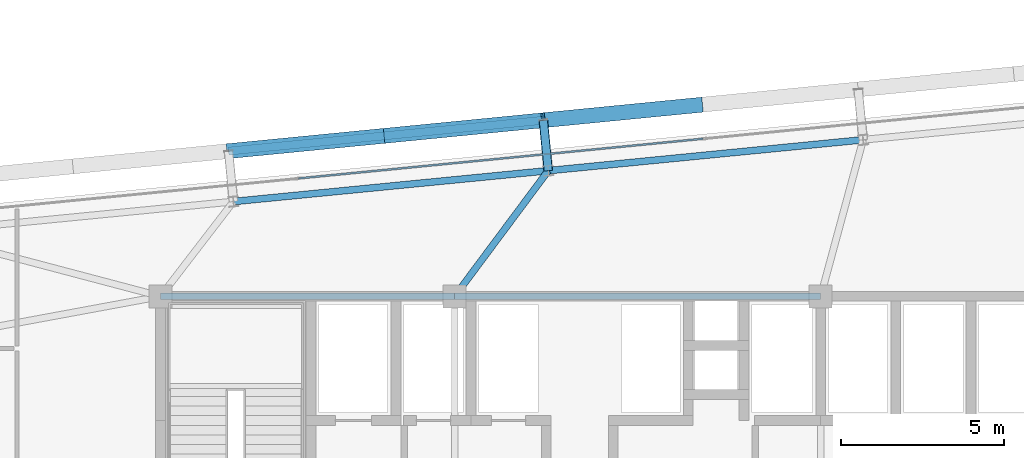
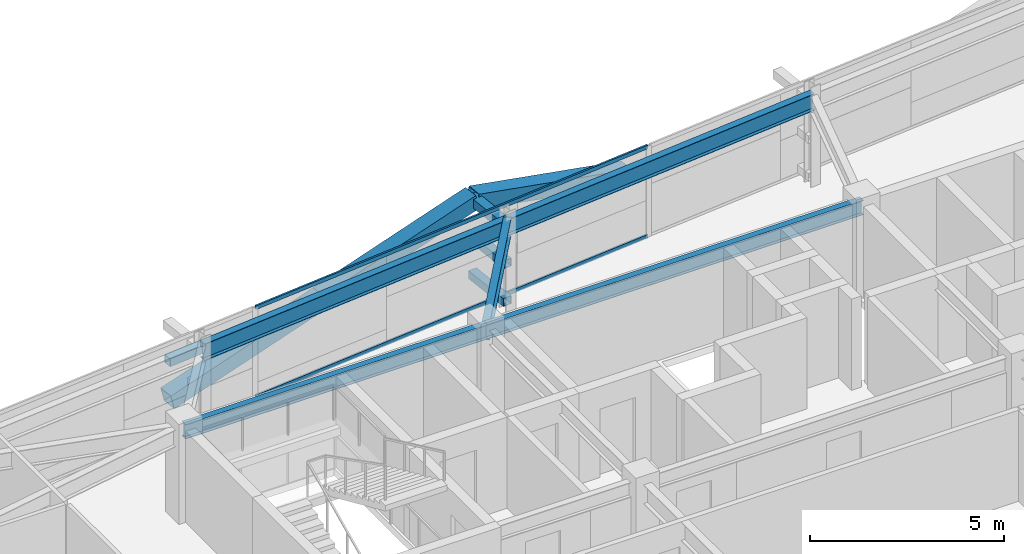
# One storey, part 26 of 47: 9 members, 5 beams, 1 element without a shape of its own.
"""IFC4 building model written with IfcOpenShell, lengths in metres."""

from ifc_helpers import new_model, si_unit, direction, frame, origin, origin_2d, place, context, subcontext, project, spatial, hollow_rectangle, i_section, extrude, source, transform, mapped, material, layer, layer_set, material_profile, profile_set, type_object, element, aggregate, save


model = new_model("IFC4")

# Units and contexts
model_context = context("Model", 3, precision=1e-05, world=origin(), true_north=direction((0.0, 1.0)))
body_context = subcontext(model_context, "Body", "Model", "MODEL_VIEW")
ifc_project = project(units=[si_unit("LENGTHUNIT", "METRE"), si_unit("AREAUNIT", "SQUARE_METRE"), si_unit("VOLUMEUNIT", "CUBIC_METRE"), si_unit("PLANEANGLEUNIT", "RADIAN"), si_unit("MASSUNIT", "GRAM", prefix="KILO")], contexts=[model_context])

# Site, building, storey
site_placement = place(None, origin())
site = spatial("IfcSite", under=ifc_project, at=site_placement, CompositionType="ELEMENT")
building_placement = place(site_placement, origin())
building = spatial("IfcBuilding", under=site, at=building_placement, Name="Taldren Reach Tower", CompositionType="ELEMENT")
storey_placement = place(building_placement, frame((0.0, 0.0, 109.199951171875)))
storey = spatial("IfcBuildingStorey", under=building, at=storey_placement, Name="L33", CompositionType="ELEMENT", Elevation=109.199951171875)

# Beams
ifc_material_1 = material(Name="Steel Gr 350 (350PLUS)", Category="steel")
ifc_material_profile_1 = material_profile(ifc_material_1, i_section(OverallWidth=0.19091796875, OverallDepth=0.4599609375, WebThickness=0.010009765625, FlangeThickness=0.01611328125, at=origin_2d()), Name="460UB82.1")
ifc_profile_set_1 = profile_set([ifc_material_profile_1], Name="Steel Gr 350 (350PLUS)")
beam_type_1 = type_object("IfcBeamType", Name="BM-UB460A", PredefinedType="BEAM", material=ifc_profile_set_1)
shared_shape_1 = source(origin(), body_context, "Body", "SweptSolid", [
    extrude(i_section(OverallWidth=0.19091796875, OverallDepth=0.4599609375, WebThickness=0.010009765625, FlangeThickness=0.01611328125, at=origin_2d()), origin(), (0.0, 0.0, 1.0), 9.0),
])
beam_1_placement = place(storey_placement, frame((19.0, 32.0, 2.64013671875), z_axis=(1.0, 0.0, 0.0), x_axis=(0.0, 1.0, 0.0)))
element("IfcBeam", 1, at=beam_1_placement, inside=storey, type_object=beam_type_1, Name="Core-spine girder L33-SP04", PredefinedType="BEAM", context=body_context, shape_type="MappedRepresentation", body=[
    mapped(shared_shape_1, transform((0.0, 0.0, 0.0), scale=1.0)),
])
shared_shape_2 = source(origin(), body_context, "Body", "SweptSolid", [
    extrude(i_section(OverallWidth=0.19091796875, OverallDepth=0.4599609375, WebThickness=0.010009765625, FlangeThickness=0.01611328125, at=origin_2d()), origin(), (0.0, 0.0, 1.0), 11.199951171875),
])
beam_2_placement = place(storey_placement, frame((28.0, 32.0, 2.64013671875), z_axis=(1.0, 0.0, 0.0), x_axis=(0.0, 1.0, 0.0)))
element("IfcBeam", 2, at=beam_2_placement, inside=storey, type_object=beam_type_1, Name="Core-spine girder L33-SP05", PredefinedType="BEAM", context=body_context, shape_type="MappedRepresentation", body=[
    mapped(shared_shape_2, transform((0.0, 0.0, 0.0), scale=1.0)),
])

# Members
ifc_material_2 = material(Name="Steel Gr 450 (C450L0)", Category="steel")
ifc_material_profile_2 = material_profile(ifc_material_2, hollow_rectangle(XDim=0.27490234375, YDim=0.27490234375, WallThickness=0.00927734375, at=origin_2d()), Name="275x275x9.3SHS")
ifc_profile_set_2 = profile_set([ifc_material_profile_2], Name="Steel Gr 450 (C450L0)")
member_type_1 = type_object("IfcMemberType", Name="MB-TIE273", PredefinedType="STRUT", material=ifc_profile_set_2)
shared_shape_3 = source(origin(), body_context, "Body", "SweptSolid", [
    extrude(hollow_rectangle(XDim=0.27490234375, YDim=0.27490234375, WallThickness=0.00927734375, at=origin_2d()), origin(), (0.0, 0.0, 1.0), 1.5498046875),
])
member_1_placement = place(storey_placement, frame((30.864501953125, 35.84619140625, 2.590087890625), z_axis=(-0.097663201064, 0.995219523099, 0.0), x_axis=(-0.995219523099, -0.097663201064, 0.0)))
element("IfcMember", 3, at=member_1_placement, inside=storey, type_object=member_type_1, Name="Exoskeleton diaphragm tie strut B2-N3 L33", PredefinedType="STRUT", context=body_context, shape_type="MappedRepresentation", body=[
    mapped(shared_shape_3, transform((0.0, 0.0, 0.0), scale=1.0)),
])
ifc_material_3 = material(Name="Steel Gr 350 (C350L0)", Category="steel")
ifc_material_profile_3 = material_profile(ifc_material_3, hollow_rectangle(XDim=0.25, YDim=0.25, WallThickness=0.010009765625, at=origin_2d()), Name="250x250x10.0SHS")
ifc_profile_set_3 = profile_set([ifc_material_profile_3], Name="Steel Gr 350 (C350L0)")
member_type_2 = type_object("IfcMemberType", Name="MB-POST250", PredefinedType="POST", material=ifc_profile_set_3)
shared_shape_4 = source(origin(), body_context, "Body", "SweptSolid", [
    extrude(hollow_rectangle(XDim=0.25, YDim=0.25, WallThickness=0.010009765625, at=origin_2d()), origin(), (0.0, 0.0, 1.0), 1.5498046875),
])
for number, where, z_axis, x_axis, name in (
    (4, (30.864501953125, 35.84619140625, 0.219970703125), (-0.097663201064, 0.995219523099, 0.0), (-0.995219523099, -0.097663201064, 0.0), "Exoskeleton base diaphragm tie strut B2-N3 L33"),
    (5, (30.864501953125, 35.84619140625, 1.405029296875), (-0.097663201064, 0.995219523099, 0.0), (-0.995219523099, -0.097663201064, 0.0), "Exoskeleton mid-tier diaphragm tie B2-N3 L33"),
):
    element("IfcMember", number, at=place(storey_placement, frame(where, z_axis=z_axis, x_axis=x_axis)), inside=storey, type_object=member_type_2, Name=name, PredefinedType="POST", context=body_context, shape_type="MappedRepresentation", body=[
        mapped(shared_shape_4, transform((0.0, 0.0, 0.0), scale=1.0)),
    ])

# Beams
ifc_material_profile_4 = material_profile(ifc_material_1, i_section(OverallWidth=0.208984375, OverallDepth=0.528076171875, WebThickness=0.009521484375, FlangeThickness=0.01318359375, at=origin_2d()), Name="530UB82.0")
ifc_profile_set_4 = profile_set([ifc_material_profile_4], Name="Steel Gr 350 (350PLUS)")
beam_type_2 = type_object("IfcBeamType", Name="SP-UB530B", PredefinedType="SPANDREL", material=ifc_profile_set_4)
shared_shape_5 = source(origin(), body_context, "Body", "SweptSolid", [
    extrude(i_section(OverallWidth=0.208984375, OverallDepth=0.528076171875, WebThickness=0.009521484375, FlangeThickness=0.01318359375, at=origin_2d()), origin(), (0.0, 0.0, 1.0), 9.679931640625),
])
for number, where, z_axis, x_axis, name in (
    (6, (40.498291015625, 36.790771484375, 2.60595703125), (-0.995227612658, -0.097580730699, 0.0), (0.097580730699, -0.995227612658, 0.0), "Perimeter spandrel B2 N4-N3 L33"),
    (7, (30.864501953125, 35.84619140625, 2.60595703125), (-0.995225162995, -0.097605711627, 0.0), (0.097605711627, -0.995225162995, 0.0), "Perimeter spandrel B2 N3-N2 L33"),
):
    element("IfcBeam", number, at=place(storey_placement, frame(where, z_axis=z_axis, x_axis=x_axis)), inside=storey, type_object=beam_type_2, Name=name, PredefinedType="SPANDREL", context=body_context, shape_type="MappedRepresentation", body=[
        mapped(shared_shape_5, transform((0.0, 0.0, 0.0), scale=1.0)),
    ])
ifc_material_profile_5 = material_profile(ifc_material_1, i_section(OverallWidth=0.208984375, OverallDepth=0.532958984375, WebThickness=0.01025390625, FlangeThickness=0.015625, at=origin_2d()), Name="530UB92.4")
ifc_profile_set_5 = profile_set([ifc_material_profile_5], Name="Steel Gr 350 (350PLUS)")
beam_type_3 = type_object("IfcBeamType", Name="BM-UB530A", PredefinedType="BEAM", material=ifc_profile_set_5)
shared_shape_6 = source(origin(), body_context, "Body", "SweptSolid", [
    extrude(i_section(OverallWidth=0.208984375, OverallDepth=0.532958984375, WebThickness=0.01025390625, FlangeThickness=0.015625, at=origin_2d()), origin(), (0.0, 0.0, 1.0), 4.795654296875),
])
beam_3_placement = place(storey_placement, frame((28.0, 32.0, 2.603515625), z_axis=(0.59730864792, 0.802011458223, 0.0), x_axis=(-0.802011458223, 0.59730864792, 0.0)))
element("IfcBeam", 8, at=beam_3_placement, inside=storey, type_object=beam_type_3, Name="Primary floor girder B2-N3 L33", PredefinedType="BEAM", context=body_context, shape_type="MappedRepresentation", body=[
    mapped(shared_shape_6, transform((0.0, 0.0, 0.0), scale=1.0)),
])

# Members
shared_shape_7 = source(origin(), body_context, "Body", "SweptSolid", [
    extrude(hollow_rectangle(XDim=0.25, YDim=0.25, WallThickness=0.010009765625, at=origin_2d()), origin(), (0.0, 0.0, 1.0), 9.679931640625),
])
member_2_placement = place(storey_placement, frame((21.079345703125, 36.444091796875, 1.405029296875), z_axis=(0.995227612658, 0.097580730699, 0.0), x_axis=(-0.097580730699, 0.995227612658, 0.0)))
element("IfcMember", 9, at=member_2_placement, inside=storey, type_object=member_type_2, Name="Exoskeleton mid-height ring chord B2-N2 L33", PredefinedType="POST", context=body_context, shape_type="MappedRepresentation", body=[
    mapped(shared_shape_7, transform((0.0, 0.0, 0.0), scale=1.0)),
])
ifc_material_profile_6 = material_profile(ifc_material_2, hollow_rectangle(XDim=0.4599609375, YDim=0.4599609375, WallThickness=0.01611328125, at=origin_2d()), Name="460x460x16.0SHS")
ifc_profile_set_6 = profile_set([ifc_material_profile_6], Name="Steel Gr 450 (C450L0)")
member_type_3 = type_object("IfcMemberType", Name="MB-EXO457", PredefinedType="BRACE", material=ifc_profile_set_6)
shared_shape_8 = source(origin(), body_context, "Body", "SweptSolid", [
    extrude(hollow_rectangle(XDim=0.4599609375, YDim=0.4599609375, WallThickness=0.01611328125, at=origin_2d()), origin(), (0.0, 0.0, 1.0), 4.98291015625),
])
for number, where, z_axis, x_axis, name in (
    (10, (21.079345703125, 36.444091796875, 0.219970703125), (0.966671000152, 0.094805290689, 0.23782164393), (-0.097605711627, 0.995225162995, 0.0), "Exoskeleton Diagrid Brace B2-N2 L33"),
    (11, (25.896240234375, 36.91650390625, 1.405029296875), (0.966675489194, 0.094756735738, 0.23782274833), (-0.097555749586, 0.995230061706, 0.0), "Exoskeleton Diagrid Brace B2-N2 L33"),
    (12, (35.530029296875, 37.861083984375, 1.405029296875), (-0.966671000152, -0.094805290689, 0.23782164393), (0.097605711627, -0.995225162995, 0.0), "Exoskeleton Diagrid Brace B2-N3 L33"),
):
    element("IfcMember", number, at=place(storey_placement, frame(where, z_axis=z_axis, x_axis=x_axis)), inside=storey, type_object=member_type_3, Name=name, PredefinedType="BRACE", context=body_context, shape_type="MappedRepresentation", body=[
        mapped(shared_shape_8, transform((0.0, 0.0, 0.0), scale=1.0)),
    ])

# Curtain wall, members
ifc_material_4 = material(Name="Aluminium and Low-E Glass Unitised System", Category="aluminium")
ifc_layer = layer(ifc_material_4, 0.159912109375)
ifc_layer_set = layer_set([ifc_layer], Name="Aluminium and Low-E Glass Unitised System")
curtain_wall_type = type_object("IfcCurtainWallType", Name="CW-SYS-3", PredefinedType="NOTDEFINED", material=ifc_layer_set)
curtain_wall_placement = place(storey_placement, origin())
curtain_wall = element("IfcCurtainWall", 13, at=curtain_wall_placement, inside=storey, type_object=curtain_wall_type, Name="Unitised curtain wall CW-L33-N", PredefinedType="NOTDEFINED")
ifc_material_5 = material(Name="Anodised Aluminium 6063-T6", Category="aluminium")
ifc_material_profile_7 = material_profile(ifc_material_5, hollow_rectangle(XDim=0.054931640625, YDim=0.1201171875, WallThickness=0.0029296875, at=origin_2d()), Name="ALU-120x55x3RHS")
ifc_profile_set_7 = profile_set([ifc_material_profile_7], Name="Anodised Aluminium 6063-T6")
member_type_4 = type_object("IfcMemberType", Name="CW-TRN-135", PredefinedType="USERDEFINED", material=ifc_profile_set_7)
shared_shape_9 = source(origin(), body_context, "Body", "SweptSolid", [
    extrude(hollow_rectangle(XDim=0.054931640625, YDim=0.1201171875, WallThickness=0.0029296875, at=origin_2d()), origin(), (0.0, 0.0, 1.0), 12.434814453125),
])
member_3_placement = place(storey_placement, frame((35.59912109375, 36.82275390625, 0.027587890625), z_axis=(-0.995227777428, -0.097579050184, 0.0), x_axis=(0.097579050184, -0.995227777428, 0.0)))
member_3 = element("IfcMember", 14, at=member_3_placement, type_object=member_type_4, Name="CW-3 transom 3.1", ObjectType="TRANSOM", PredefinedType="USERDEFINED", context=body_context, shape_type="MappedRepresentation", body=[
    mapped(shared_shape_9, transform((0.0, 0.0, 0.0), scale=1.0)),
])
member_4_placement = place(storey_placement, frame((35.59912109375, 36.82275390625, 2.842529296875), z_axis=(-0.995227777428, -0.097579050184, 0.0), x_axis=(0.097579050184, -0.995227777428, 0.0)))
member_4 = element("IfcMember", 15, at=member_4_placement, type_object=member_type_4, Name="CW-3 transom 3.2", ObjectType="TRANSOM", PredefinedType="USERDEFINED", context=body_context, shape_type="MappedRepresentation", body=[
    mapped(shared_shape_9, transform((0.0, 0.0, 0.0), scale=1.0)),
])
aggregate(curtain_wall, [member_3, member_4])

save(model, "model.ifc")
